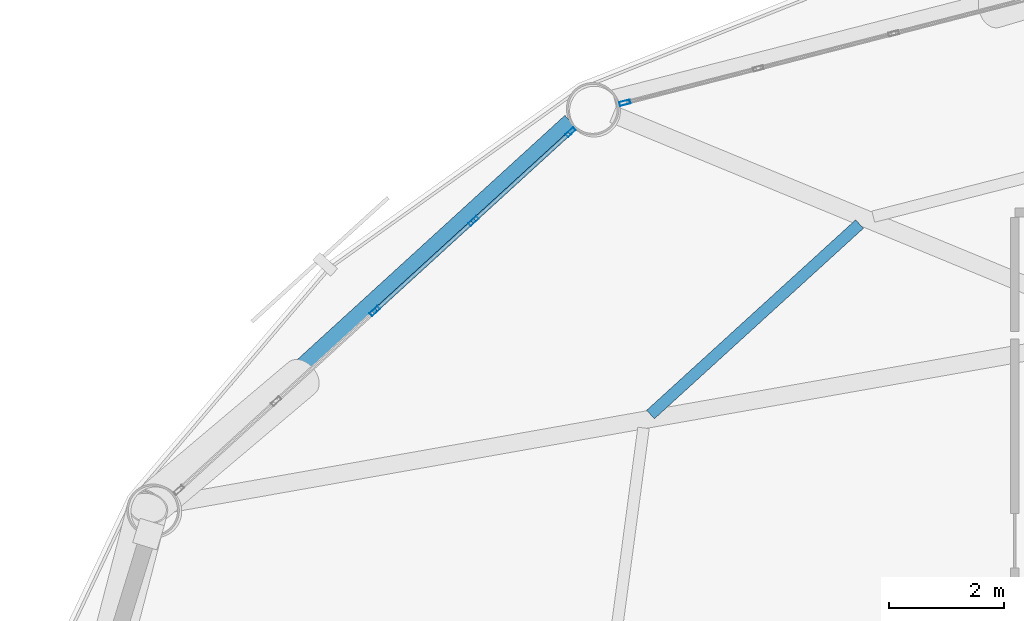
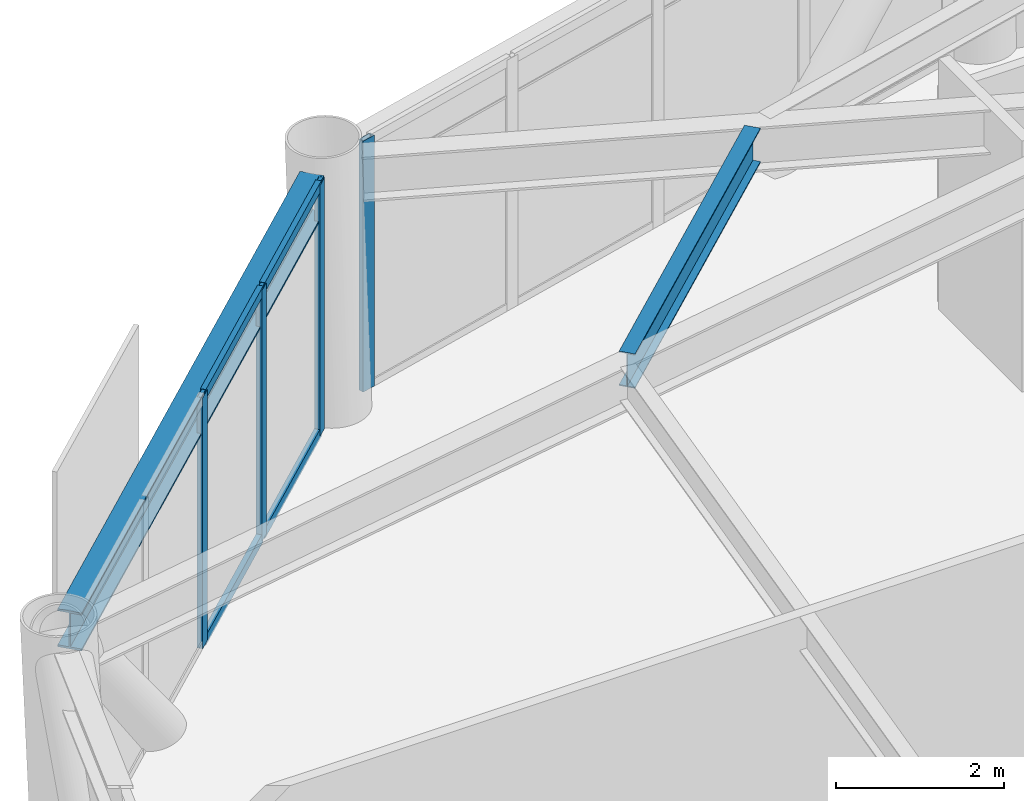
# One storey, part 17 of 26: 8 members, 2 beams, 2 elements without a shape of their own.
"""IFC4 building model written with IfcOpenShell, lengths in metres."""

from ifc_helpers import new_model, si_unit, direction, frame, origin, origin_2d, place, context, subcontext, project, spatial, hollow_rectangle, i_section, extrude, material, layer, layer_set, material_profile, profile_set, type_object, element, aggregate, save


model = new_model("IFC4")

# Units and contexts
model_context = context("Model", 3, precision=1e-05, world=origin(), true_north=direction((0.0, 1.0)))
body_context = subcontext(model_context, "Body", "Model", "MODEL_VIEW")
ifc_project = project(units=[si_unit("LENGTHUNIT", "METRE"), si_unit("AREAUNIT", "SQUARE_METRE"), si_unit("VOLUMEUNIT", "CUBIC_METRE"), si_unit("PLANEANGLEUNIT", "RADIAN"), si_unit("MASSUNIT", "GRAM", prefix="KILO")], contexts=[model_context])

# Site, building, storey
site_placement = place(None, origin())
site = spatial("IfcSite", under=ifc_project, at=site_placement, CompositionType="ELEMENT")
building_placement = place(site_placement, origin())
building = spatial("IfcBuilding", under=site, at=building_placement, Name="Varnakorn Sky Granary", CompositionType="ELEMENT")
storey_placement = place(building_placement, frame((0.0, 0.0, 47.10009765625)))
storey = spatial("IfcBuildingStorey", under=building, at=storey_placement, Name="L11", CompositionType="ELEMENT", Elevation=47.10009765625)

# Beams
ifc_material_1 = material(Name="Steel S355JR", Category="steel")
ifc_material_profile_1 = material_profile(ifc_material_1, i_section(OverallWidth=0.199951171875, OverallDepth=0.5, WebThickness=0.01025390625, FlangeThickness=0.01611328125, at=origin_2d()), Name="IPE 500")
ifc_profile_set_1 = profile_set([ifc_material_profile_1], Name="Steel S355JR")
beam_type_1 = type_object("IfcBeamType", Name="BM-SEC-Z1", PredefinedType="BEAM", material=ifc_profile_set_1)
beam_1_placement = place(storey_placement, frame((-7.296630859375, 14.49853515625, 3.389892578125), z_axis=(-0.73919963679, -0.673486374747, 0.0), x_axis=(0.673486374747, -0.73919963679, 0.0)))
element("IfcBeam", 1, at=beam_1_placement, inside=storey, type_object=beam_type_1, Name="Secondary Floor Chord Beam MSB05 L11", PredefinedType="BEAM", context=body_context, shape_type="SweptSolid", body=[
    extrude(i_section(OverallWidth=0.199951171875, OverallDepth=0.5, WebThickness=0.01025390625, FlangeThickness=0.01611328125, at=origin_2d()), origin(), (0.0, 0.0, 1.0), 4.91162109375),
])
ifc_material_profile_2 = material_profile(ifc_material_1, i_section(OverallWidth=0.300048828125, OverallDepth=0.550048828125, WebThickness=0.014892578125, FlangeThickness=0.029052734375, at=origin_2d()), Name="HE 550 B")
ifc_profile_set_2 = profile_set([ifc_material_profile_2], Name="Steel S355JR")
beam_type_2 = type_object("IfcBeamType", Name="BM-SPD-Z1", PredefinedType="SPANDREL", material=ifc_profile_set_2)
beam_2_placement = place(storey_placement, frame((-12.31298828125, 16.276123046875, 3.364990234375), z_axis=(-0.73868168788, -0.674054422129, 0.0), x_axis=(0.674054422129, -0.73868168788, 0.0)))
element("IfcBeam", 2, at=beam_2_placement, inside=storey, type_object=beam_type_2, Name="Perimeter Spandrel Ring Beam RB05 L11", PredefinedType="SPANDREL", context=body_context, shape_type="SweptSolid", body=[
    extrude(i_section(OverallWidth=0.300048828125, OverallDepth=0.550048828125, WebThickness=0.014892578125, FlangeThickness=0.029052734375, at=origin_2d()), origin(), (0.0, 0.0, 1.0), 9.50830078125),
])

# Curtain wall, member
ifc_material_2 = material(Name="Anodised Bronze Aluminium Alloy 6063-T6", Category="aluminium")
ifc_layer = layer(ifc_material_2, 0.18994140625, Name="Anodised Bronze Aluminium Alloy 6063-T6")
ifc_layer_set = layer_set([ifc_layer], Name="Anodised Bronze Aluminium Alloy 6063-T6")
curtain_wall_type = type_object("IfcCurtainWallType", Name="CW-FRM-1", PredefinedType="USERDEFINED", material=ifc_layer_set)
curtain_wall_1_placement = place(storey_placement, origin())
curtain_wall_1 = element("IfcCurtainWall", 3, at=curtain_wall_1_placement, inside=storey, type_object=curtain_wall_type, Name="Unitised Curtain Wall CW3 CW-L11-B04", ObjectType="CURTAIN WALL", PredefinedType="USERDEFINED")
ifc_material_profile_3 = material_profile(ifc_material_2, hollow_rectangle(XDim=0.070068359375, YDim=0.18505859375, WallThickness=0.00390625, at=origin_2d()), Name="ALU MULL 70x185")
ifc_profile_set_3 = profile_set([ifc_material_profile_3], Name="Anodised Bronze Aluminium Alloy 6063-T6")
member_type_1 = type_object("IfcMemberType", Name="CW-FRM-1-MULL", PredefinedType="MULLION", material=ifc_profile_set_3)
member_1_placement = place(storey_placement, frame((-11.373046875, 16.605224609375, 0.0), z_axis=(0.0, 0.0, 1.0), x_axis=(-0.24959498948, 0.968350319475, 0.0)))
member_1 = element("IfcMember", 4, at=member_1_placement, type_object=member_type_1, Name="CW3 mullion 1", PredefinedType="MULLION", context=body_context, shape_type="SweptSolid", body=[
    extrude(hollow_rectangle(XDim=0.070068359375, YDim=0.18505859375, WallThickness=0.00390625, at=origin_2d()), origin(), (0.0, 0.0, 1.0), 3.639892578125),
])
aggregate(curtain_wall_1, [member_1])

# Curtain wall, members
curtain_wall_2_placement = place(storey_placement, origin())
curtain_wall_2 = element("IfcCurtainWall", 5, at=curtain_wall_2_placement, inside=storey, type_object=curtain_wall_type, Name="Unitised Curtain Wall CW3 CW-L11-B05", ObjectType="CURTAIN WALL", PredefinedType="USERDEFINED")
member_2_placement = place(storey_placement, frame((-15.716796875, 12.987548828125, 0.0), z_axis=(0.0, 0.0, 1.0), x_axis=(-0.674464438954, 0.738307334777, 0.0)))
member_2 = element("IfcMember", 6, at=member_2_placement, type_object=member_type_1, Name="CW3 mullion 3", PredefinedType="MULLION", context=body_context, shape_type="SweptSolid", body=[
    extrude(hollow_rectangle(XDim=0.070068359375, YDim=0.18505859375, WallThickness=0.00390625, at=origin_2d()), origin(), (0.0, 0.0, 1.0), 3.639892578125),
])
member_3_placement = place(storey_placement, frame((-14.0029296875, 14.55322265625, 0.0), z_axis=(0.0, 0.0, 1.0), x_axis=(-0.674464438954, 0.738307334777, 0.0)))
member_3 = element("IfcMember", 7, at=member_3_placement, type_object=member_type_1, Name="CW3 mullion 4", PredefinedType="MULLION", context=body_context, shape_type="SweptSolid", body=[
    extrude(hollow_rectangle(XDim=0.070068359375, YDim=0.18505859375, WallThickness=0.00390625, at=origin_2d()), origin(), (0.0, 0.0, 1.0), 3.639892578125),
])
member_4_placement = place(storey_placement, frame((-12.31494140625, 16.09521484375, 0.0), z_axis=(0.0, 0.0, 1.0), x_axis=(-0.674464438954, 0.738307334777, 0.0)))
member_4 = element("IfcMember", 8, at=member_4_placement, type_object=member_type_1, Name="CW3 mullion 5", PredefinedType="MULLION", context=body_context, shape_type="SweptSolid", body=[
    extrude(hollow_rectangle(XDim=0.070068359375, YDim=0.18505859375, WallThickness=0.00390625, at=origin_2d()), origin(), (0.0, 0.0, 1.0), 3.639892578125),
])
ifc_material_profile_4 = material_profile(ifc_material_2, hollow_rectangle(XDim=0.070068359375, YDim=0.139892578125, WallThickness=0.00341796875, at=origin_2d()), Name="ALU TRAN 70x140")
ifc_profile_set_4 = profile_set([ifc_material_profile_4], Name="Anodised Bronze Aluminium Alloy 6063-T6")
member_type_2 = type_object("IfcMemberType", Name="CW-FRM-1-TRAN", PredefinedType="USERDEFINED", material=ifc_profile_set_4)
member_5_placement = place(storey_placement, frame((-15.691162109375, 13.010986328125, 0.034912109375), z_axis=(0.738318797887, 0.674451890565, 0.0), x_axis=(-0.674451890565, 0.738318797887, 0.0)))
member_5 = element("IfcMember", 9, at=member_5_placement, type_object=member_type_2, Name="CW3 transom 3.1", ObjectType="TRANSOM", PredefinedType="USERDEFINED", context=body_context, shape_type="SweptSolid", body=[
    extrude(hollow_rectangle(XDim=0.070068359375, YDim=0.139892578125, WallThickness=0.00341796875, at=origin_2d()), origin(), (0.0, 0.0, 1.0), 2.25146484375),
])
member_6_placement = place(storey_placement, frame((-15.691162109375, 13.010986328125, 3.60498046875), z_axis=(0.738318797887, 0.674451890565, 0.0), x_axis=(-0.674451890565, 0.738318797887, 0.0)))
member_6 = element("IfcMember", 10, at=member_6_placement, type_object=member_type_2, Name="CW3 transom 3.2", ObjectType="TRANSOM", PredefinedType="USERDEFINED", context=body_context, shape_type="SweptSolid", body=[
    extrude(hollow_rectangle(XDim=0.070068359375, YDim=0.139892578125, WallThickness=0.00341796875, at=origin_2d()), origin(), (0.0, 0.0, 1.0), 2.25146484375),
])
member_7_placement = place(storey_placement, frame((-13.977294921875, 14.57666015625, 0.034912109375), z_axis=(0.738328085792, 0.674441723005, 0.0), x_axis=(-0.674441723005, 0.738328085792, 0.0)))
member_7 = element("IfcMember", 11, at=member_7_placement, type_object=member_type_2, Name="CW3 transom 4.1", ObjectType="TRANSOM", PredefinedType="USERDEFINED", context=body_context, shape_type="SweptSolid", body=[
    extrude(hollow_rectangle(XDim=0.070068359375, YDim=0.139892578125, WallThickness=0.00341796875, at=origin_2d()), origin(), (0.0, 0.0, 1.0), 2.216552734375),
])
member_8_placement = place(storey_placement, frame((-13.977294921875, 14.57666015625, 3.60498046875), z_axis=(0.738328085792, 0.674441723005, 0.0), x_axis=(-0.674441723005, 0.738328085792, 0.0)))
member_8 = element("IfcMember", 12, at=member_8_placement, type_object=member_type_2, Name="CW3 transom 4.2", ObjectType="TRANSOM", PredefinedType="USERDEFINED", context=body_context, shape_type="SweptSolid", body=[
    extrude(hollow_rectangle(XDim=0.070068359375, YDim=0.139892578125, WallThickness=0.00341796875, at=origin_2d()), origin(), (0.0, 0.0, 1.0), 2.216552734375),
])
aggregate(curtain_wall_2, [member_2, member_3, member_4, member_5, member_6, member_7, member_8])

save(model, "model.ifc")
